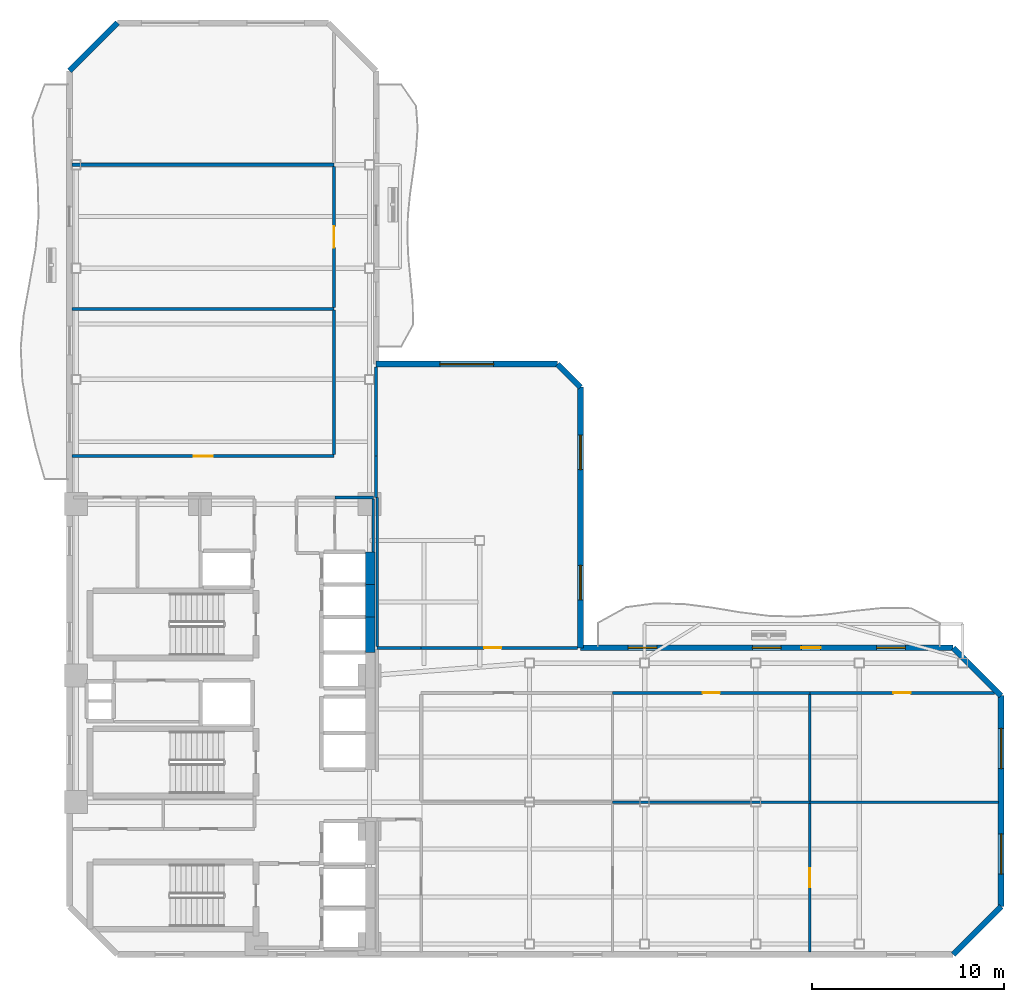
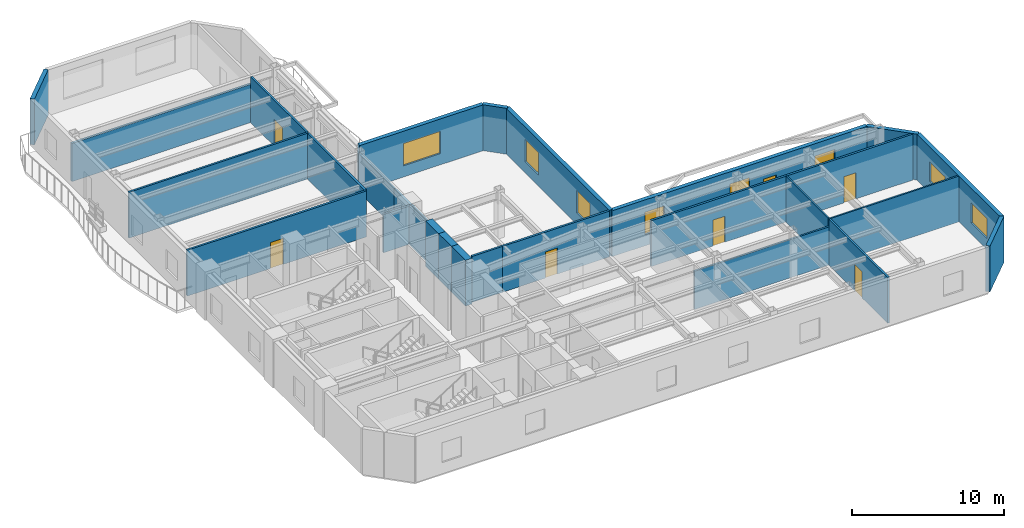
# One storey, part 5 of 9: 29 walls, 8 windows, 7 doors, 15 openings.
"""IFC4 building model written with IfcOpenShell, lengths in metres."""

from ifc_helpers import new_model, si_unit, direction, frame, frame_2d, origin, place, context, subcontext, project, spatial, rectangle, extrude, material, layer, layer_set, type_object, element, fill, save


model = new_model("IFC4")

# Units and contexts
model_context = context("Model", 3, precision=1e-05, world=origin(), true_north=direction((0.0, 1.0)))
body_context = subcontext(model_context, "Body", "Model", "MODEL_VIEW")
ifc_project = project(units=[si_unit("LENGTHUNIT", "METRE"), si_unit("AREAUNIT", "SQUARE_METRE"), si_unit("VOLUMEUNIT", "CUBIC_METRE"), si_unit("PLANEANGLEUNIT", "RADIAN"), si_unit("MASSUNIT", "GRAM", prefix="KILO")], contexts=[model_context])

# Site, building, storey
site_placement = place(None, origin())
site = spatial("IfcSite", under=ifc_project, at=site_placement, CompositionType="ELEMENT")
building_placement = place(site_placement, origin())
building = spatial("IfcBuilding", under=site, at=building_placement, Name="Mawjaban Terraces University", CompositionType="ELEMENT")
storey_placement = place(building_placement, frame((0.0, 0.0, 107.300048828125)))
storey = spatial("IfcBuildingStorey", under=building, at=storey_placement, Name="L25", CompositionType="ELEMENT", Elevation=107.300048828125)

# Walls
ifc_material_1 = material(Name="Acoustic masonry blockwork", Category="masonry")
ifc_layer_1 = layer(ifc_material_1, 0.179931640625)
ifc_layer_set_1 = layer_set([ifc_layer_1], Name="Acoustic masonry blockwork")
wall_type_1 = type_object("IfcWallType", Name="AcousticStudioWall_180", PredefinedType="PARTITIONING", material=ifc_layer_set_1)
wall_1_placement = place(storey_placement, frame((35.800048828125, 41.199951171875, 0.0), z_axis=(0.0, 0.0, 1.0), x_axis=(-1.0, 0.0, 0.0)))
element("IfcWall", 1, at=wall_1_placement, inside=storey, type_object=wall_type_1, Name="L25 Computational Laboratory 9 Partition 13", PredefinedType="PARTITIONING", context=body_context, shape_type="SweptSolid", body=[
    extrude(rectangle(XDim=13.655029296875, YDim=0.179931640625, at=frame_2d((6.82763671875, 0.0))), origin(), (0.0, 0.0, 1.0), 3.072998046875),
])
ifc_material_2 = material(Name="Concrete C60/75", Category="concrete")
ifc_layer_2 = layer(ifc_material_2, 0.5)
ifc_layer_set_2 = layer_set([ifc_layer_2], Name="Concrete C60/75")
wall_type_2 = type_object("IfcWallType", Name="CoreShearWall_500", PredefinedType="SHEAR", material=ifc_layer_set_2)
wall_2_placement = place(storey_placement, frame((37.699951171875, 15.75, 0.0), z_axis=(0.0, 0.0, 1.0), x_axis=(0.0, 1.0, 0.0)))
element("IfcWall", 2, at=wall_2_placement, inside=storey, type_object=wall_type_2, Name="L25 Lift OL-2 Hoistway Wall East", PredefinedType="SHEAR", context=body_context, shape_type="SweptSolid", body=[
    extrude(rectangle(XDim=1.85009765625, YDim=0.5, at=frame_2d((0.925048828125, 0.0))), origin(), (0.0, 0.0, 1.0), 3.68994140625),
])
for number, where, z_axis, x_axis, name in (
    (3, (37.699951171875, 17.60009765625, 0.0), (0.0, 0.0, 1.0), (0.0, 1.0, 0.0), "L25 Lift PL-M1 Hoistway Wall East"),
    (4, (37.699951171875, 19.300048828125, 0.0), (0.0, 0.0, 1.0), (0.0, 1.0, 0.0), "L25 Lift PL-M2 Hoistway Wall East"),
):
    element("IfcWall", number, at=place(storey_placement, frame(where, z_axis=z_axis, x_axis=x_axis)), inside=storey, type_object=wall_type_2, Name=name, PredefinedType="SHEAR", context=body_context, shape_type="SweptSolid", body=[
        extrude(rectangle(XDim=1.699951171875, YDim=0.5, at=frame_2d((0.85009765625, 0.0))), origin(), (0.0, 0.0, 1.0), 3.68994140625),
    ])

# Wall, opening, door
ifc_material_3 = material(Name="Fire-rated gypsum board on steel stud", Category="steel")
ifc_layer_3 = layer(ifc_material_3, 0.159912109375)
ifc_layer_set_3 = layer_set([ifc_layer_3], Name="Fire-rated gypsum board on steel stud")
wall_type_3 = type_object("IfcWallType", Name="CorridorPartition_160", PredefinedType="PARTITIONING", material=ifc_layer_set_3)
wall_3_placement = place(storey_placement, frame((35.800048828125, 26.0, 0.0), z_axis=(0.0, 0.0, 1.0), x_axis=(-1.0, 0.0, 0.0)))
wall_3 = element("IfcWall", 5, at=wall_3_placement, inside=storey, type_object=wall_type_3, Name="L25 North Core Cross-Corridor Partition 11", PredefinedType="PARTITIONING", context=body_context, shape_type="SweptSolid", body=[
    extrude(rectangle(XDim=13.655029296875, YDim=0.159912109375, at=frame_2d((6.82763671875, 0.0))), origin(), (0.0, 0.0, 1.0), 3.68994140625),
])
opening_1_placement = place(wall_3_placement, frame((6.326904296875, 0.0, 0.0)))
opening_1 = element("IfcOpeningElement", 6, at=opening_1_placement, cuts=wall_3, Name="Opening ID-100", PredefinedType="OPENING", context=body_context, shape_type="SweptSolid", body=[
    extrude(rectangle(XDim=1.0, YDim=2.10009765625, at=frame_2d((0.5, 1.050048828125))), frame((0.0, 0.08984375, 0.0), z_axis=(0.0, -1.0, 0.0), x_axis=(1.0, 0.0, 0.0)), (0.0, 0.0, 1.0), 0.179931640625),
])
ifc_material_4 = material(Name="Powder-coated steel frame and solid acoustic timber leaf", Category="steel")
door_type_1 = type_object("IfcDoorType", Name="ClassroomDoor_1000x2100", OperationType="NOTDEFINED", PredefinedType="DOOR", material=ifc_material_4)
door_1_placement = place(opening_1_placement, origin())
door_1 = element("IfcDoor", 7, at=door_1_placement, inside=storey, type_object=door_type_1, Name="L25 Classroom 8 Door", OperationType="SINGLE_SWING_RIGHT", OverallHeight=2.10009765625, OverallWidth=1.0, PredefinedType="DOOR", context=body_context, shape_type="SweptSolid", body=[
    extrude(rectangle(XDim=1.0, YDim=2.10009765625, at=frame_2d((0.5, 1.050048828125))), frame((0.0, 0.02490234375, 0.0), z_axis=(0.0, -1.0, 0.0), x_axis=(1.0, 0.0, 0.0)), (0.0, 0.0, 1.0), 0.050048828125),
])
fill(opening_1, door_1)

# Walls
wall_4_placement = place(storey_placement, frame((37.85009765625, 23.85009765625, 0.0), z_axis=(0.0, 0.0, 1.0), x_axis=(-1.0, 0.0, 0.0)))
element("IfcWall", 8, at=wall_4_placement, inside=storey, type_object=wall_type_3, Name="L25 Faculty Archive Closet Partition 15", PredefinedType="PARTITIONING", context=body_context, shape_type="SweptSolid", body=[
    extrude(rectangle(XDim=2.0, YDim=0.159912109375, at=frame_2d((1.0, 0.0))), origin(), (0.0, 0.0, 1.0), 3.072998046875),
])
wall_5_placement = place(storey_placement, frame((40.35009765625, 16.0, 0.0), z_axis=(0.0, 0.0, 1.0), x_axis=(-1.0, 0.0, 0.0)))
element("IfcWall", 9, at=wall_5_placement, inside=storey, type_object=wall_type_3, Name="L25 Inner Gallery Link Corridor Partition 18", PredefinedType="PARTITIONING", context=body_context, shape_type="SweptSolid", body=[
    extrude(rectangle(XDim=2.300048828125, YDim=0.159912109375, at=frame_2d((1.14990234375, 0.0))), origin(), (0.0, 0.0, 1.0), 3.68994140625),
])

# Wall, opening, door
wall_6_placement = place(storey_placement, frame((40.35009765625, 16.0, 0.0), z_axis=(0.0, 0.0, 1.0), x_axis=(1.0, 0.0, 0.0)))
wall_6 = element("IfcWall", 10, at=wall_6_placement, inside=storey, type_object=wall_type_3, Name="L25 Terrace Collaborative Study Room Partition 19", PredefinedType="PARTITIONING", context=body_context, shape_type="SweptSolid", body=[
    extrude(rectangle(XDim=8.160888671875, YDim=0.159912109375, at=frame_2d((4.08056640625, 0.0))), origin(), (0.0, 0.0, 1.0), 3.68994140625),
])
opening_2_placement = place(wall_6_placement, frame((3.281005859375, 0.0, 0.0)))
opening_2 = element("IfcOpeningElement", 11, at=opening_2_placement, cuts=wall_6, Name="Opening ID-090", PredefinedType="OPENING", context=body_context, shape_type="SweptSolid", body=[
    extrude(rectangle(XDim=0.89990234375, YDim=2.10009765625, at=frame_2d((0.449951171875, 1.050048828125))), frame((0.0, 0.08984375, 0.0), z_axis=(0.0, -1.0, 0.0), x_axis=(1.0, 0.0, 0.0)), (0.0, 0.0, 1.0), 0.179931640625),
])
door_type_2 = type_object("IfcDoorType", Name="OfficeDoor_900x2100", OperationType="NOTDEFINED", PredefinedType="DOOR", material=ifc_material_4)
door_2_placement = place(opening_2_placement, origin())
door_2 = element("IfcDoor", 12, at=door_2_placement, inside=storey, type_object=door_type_2, Name="L25 Terrace Collaborative Study Room Door", OperationType="SINGLE_SWING_LEFT", OverallHeight=2.10009765625, OverallWidth=0.89990234375, PredefinedType="DOOR", context=body_context, shape_type="SweptSolid", body=[
    extrude(rectangle(XDim=0.89990234375, YDim=2.10009765625, at=frame_2d((0.449951171875, 1.050048828125))), frame((0.0, 0.02490234375, 0.0), z_axis=(0.0, -1.0, 0.0), x_axis=(1.0, 0.0, 0.0)), (0.0, 0.0, 1.0), 0.050048828125),
])
fill(opening_2, door_2)

wall_7_placement = place(storey_placement, frame((50.330078125, 13.64990234375, 0.0), z_axis=(0.0, 0.0, 1.0), x_axis=(1.0, 0.0, 0.0)))
wall_7 = element("IfcWall", 13, at=wall_7_placement, inside=storey, type_object=wall_type_3, Name="L25 Inner Terrace Gallery Corridor East Partition 21", PredefinedType="PARTITIONING", context=body_context, shape_type="SweptSolid", body=[
    extrude(rectangle(XDim=10.2900390625, YDim=0.159912109375, at=frame_2d((5.14501953125, 0.0))), origin(), (0.0, 0.0, 1.0), 3.68994140625),
])
opening_3_placement = place(wall_7_placement, frame((4.695068359375, 0.0, 0.0)))
opening_3 = element("IfcOpeningElement", 14, at=opening_3_placement, cuts=wall_7, Name="Opening ID-090", PredefinedType="OPENING", context=body_context, shape_type="SweptSolid", body=[
    extrude(rectangle(XDim=0.89990234375, YDim=2.10009765625, at=frame_2d((0.449951171875, 1.050048828125))), frame((0.0, 0.08984375, 0.0), z_axis=(0.0, -1.0, 0.0), x_axis=(1.0, 0.0, 0.0)), (0.0, 0.0, 1.0), 0.179931640625),
])
door_3_placement = place(opening_3_placement, origin())
door_3 = element("IfcDoor", 15, at=door_3_placement, inside=storey, type_object=door_type_2, Name="L25 Seminar Room 5 Door", OperationType="SINGLE_SWING_LEFT", OverallHeight=2.10009765625, OverallWidth=0.89990234375, PredefinedType="DOOR", context=body_context, shape_type="SweptSolid", body=[
    extrude(rectangle(XDim=0.89990234375, YDim=2.10009765625, at=frame_2d((0.449951171875, 1.050048828125))), frame((0.0, 0.02490234375, 0.0), z_axis=(0.0, -1.0, 0.0), x_axis=(1.0, 0.0, 0.0)), (0.0, 0.0, 1.0), 0.050048828125),
])
fill(opening_3, door_3)

wall_8_placement = place(storey_placement, frame((60.6201171875, 13.64990234375, 0.0), z_axis=(0.0, 0.0, 1.0), x_axis=(1.0, 0.0, 0.0)))
wall_8 = element("IfcWall", 16, at=wall_8_placement, inside=storey, type_object=wall_type_3, Name="L25 Inner Terrace Gallery Corridor East Partition 23", PredefinedType="PARTITIONING", context=body_context, shape_type="SweptSolid", body=[
    extrude(rectangle(XDim=9.625, YDim=0.159912109375, at=frame_2d((4.8125, 0.0))), origin(), (0.0, 0.0, 1.0), 3.68994140625),
])
opening_4_placement = place(wall_8_placement, frame((4.363037109375, 0.0, 0.0)))
opening_4 = element("IfcOpeningElement", 17, at=opening_4_placement, cuts=wall_8, Name="Opening ID-090", PredefinedType="OPENING", context=body_context, shape_type="SweptSolid", body=[
    extrude(rectangle(XDim=0.89990234375, YDim=2.10009765625, at=frame_2d((0.449951171875, 1.050048828125))), frame((0.0, 0.08984375, 0.0), z_axis=(0.0, -1.0, 0.0), x_axis=(1.0, 0.0, 0.0)), (0.0, 0.0, 1.0), 0.179931640625),
])
door_4_placement = place(opening_4_placement, origin())
door_4 = element("IfcDoor", 18, at=door_4_placement, inside=storey, type_object=door_type_2, Name="L25 Faculty Office 7 Door", OperationType="SINGLE_SWING_LEFT", OverallHeight=2.10009765625, OverallWidth=0.89990234375, PredefinedType="DOOR", context=body_context, shape_type="SweptSolid", body=[
    extrude(rectangle(XDim=0.89990234375, YDim=2.10009765625, at=frame_2d((0.449951171875, 1.050048828125))), frame((0.0, 0.02490234375, 0.0), z_axis=(0.0, -1.0, 0.0), x_axis=(1.0, 0.0, 0.0)), (0.0, 0.0, 1.0), 0.050048828125),
])
fill(opening_4, door_4)

# Walls
wall_9_placement = place(storey_placement, frame((35.800048828125, 33.612060546875, 0.0), z_axis=(0.0, 0.0, 1.0), x_axis=(0.0, -1.0, 0.0)))
element("IfcWall", 19, at=wall_9_placement, inside=storey, type_object=wall_type_3, Name="L25 Inner Terrace Gallery Corridor North Partition 32", PredefinedType="PARTITIONING", context=body_context, shape_type="SweptSolid", body=[
    extrude(rectangle(XDim=7.537109375, YDim=0.159912109375, at=frame_2d((3.7685546875, 0.0))), origin(), (0.0, 0.0, 1.0), 3.68994140625),
])
wall_10_placement = place(storey_placement, frame((38.0, 23.85009765625, 0.0), z_axis=(0.0, 0.0, 1.0), x_axis=(0.0, 1.0, 0.0)))
element("IfcWall", 20, at=wall_10_placement, inside=storey, type_object=wall_type_3, Name="L25 North Core Cross-Corridor Partition 37", PredefinedType="PARTITIONING", context=body_context, shape_type="SweptSolid", body=[
    extrude(rectangle(XDim=2.14990234375, YDim=0.159912109375, at=frame_2d((1.074951171875, 0.0))), origin(), (0.0, 0.0, 1.0), 3.072998046875),
])
wall_11_placement = place(storey_placement, frame((38.0, 26.0, 0.0), z_axis=(0.0, 0.0, 1.0), x_axis=(0.0, 1.0, 0.0)))
element("IfcWall", 21, at=wall_11_placement, inside=storey, type_object=wall_type_3, Name="L25 Inner Terrace Gallery Corridor North Partition 38", PredefinedType="PARTITIONING", context=body_context, shape_type="SweptSolid", body=[
    extrude(rectangle(XDim=4.655029296875, YDim=0.159912109375, at=frame_2d((2.32763671875, 0.0))), origin(), (0.0, 0.0, 1.0), 3.072998046875),
])
ifc_material_5 = material(Name="Insulated terracotta rainscreen on concrete backup C40/50", Category="masonry")
ifc_layer_4 = layer(ifc_material_5, 0.300048828125)
ifc_layer_set_4 = layer_set([ifc_layer_4], Name="Insulated terracotta rainscreen on concrete backup C40/50")
wall_type_4 = type_object("IfcWallType", Name="ExtTerracottaWall_300", PredefinedType="SOLIDWALL", material=ifc_layer_set_4)
wall_12_placement = place(storey_placement, frame((68.10009765625, 0.0, 0.0), z_axis=(0.0, 0.0, 1.0), x_axis=(0.707106781187, 0.707106781187, 0.0)))
element("IfcWall", 22, at=wall_12_placement, inside=storey, type_object=wall_type_4, Name="L25 Exterior Terracotta Wall 2", PredefinedType="SOLIDWALL", context=body_context, shape_type="SweptSolid", body=[
    extrude(rectangle(XDim=3.53564453125, YDim=0.300048828125, at=frame_2d((1.767822265625, 0.0))), origin(), (0.0, 0.0, 1.0), 3.68994140625),
])

# Wall, openings, windows
wall_13_placement = place(storey_placement, frame((70.60009765625, 2.5, 0.0), z_axis=(0.0, 0.0, 1.0), x_axis=(0.0, 1.0, 0.0)))
wall_13 = element("IfcWall", 23, at=wall_13_placement, inside=storey, type_object=wall_type_4, Name="L25 Exterior Terracotta Wall 3", PredefinedType="SOLIDWALL", context=body_context, shape_type="SweptSolid", body=[
    extrude(rectangle(XDim=11.0, YDim=0.300048828125, at=frame_2d((5.5, 0.0))), origin(), (0.0, 0.0, 1.0), 3.68994140625),
])
opening_5_placement = place(wall_13_placement, frame((1.699951171875, 0.0, 0.89990234375)))
opening_5 = element("IfcOpeningElement", 24, at=opening_5_placement, cuts=wall_13, Name="Opening W-04", PredefinedType="OPENING", context=body_context, shape_type="SweptSolid", body=[
    extrude(rectangle(XDim=2.10009765625, YDim=1.60009765625, at=frame_2d((1.050048828125, 0.800048828125))), frame((0.0, 0.159912109375, 0.0), z_axis=(0.0, -1.0, 0.0), x_axis=(1.0, 0.0, 0.0)), (0.0, 0.0, 1.0), 0.320068359375),
])
opening_6_placement = place(wall_13_placement, frame((7.199951171875, 0.0, 0.89990234375)))
opening_6 = element("IfcOpeningElement", 25, at=opening_6_placement, cuts=wall_13, Name="Opening W-04", PredefinedType="OPENING", context=body_context, shape_type="SweptSolid", body=[
    extrude(rectangle(XDim=2.10009765625, YDim=1.60009765625, at=frame_2d((1.050048828125, 0.800048828125))), frame((0.0, 0.159912109375, 0.0), z_axis=(0.0, -1.0, 0.0), x_axis=(1.0, 0.0, 0.0)), (0.0, 0.0, 1.0), 0.320068359375),
])
ifc_material_6 = material(Name="Low-E solar-control double glazing in thermally broken aluminium frame", Category="aluminium")
window_type_1 = type_object("IfcWindowType", Name="Win_2100x1600", PartitioningType="SINGLE_PANEL", PredefinedType="WINDOW", material=ifc_material_6)
window_1_placement = place(opening_5_placement, origin())
window_1 = element("IfcWindow", 26, at=window_1_placement, inside=storey, type_object=window_type_1, Name="L25 Facade Window 3.1", OverallHeight=1.60009765625, OverallWidth=2.10009765625, PartitioningType="SINGLE_PANEL", PredefinedType="WINDOW", context=body_context, shape_type="SweptSolid", body=[
    extrude(rectangle(XDim=2.10009765625, YDim=1.60009765625, at=frame_2d((1.050048828125, 0.800048828125))), frame((0.0, 0.030029296875, 0.0), z_axis=(0.0, -1.0, 0.0), x_axis=(1.0, 0.0, 0.0)), (0.0, 0.0, 1.0), 0.06005859375),
])
fill(opening_5, window_1)
window_2_placement = place(opening_6_placement, origin())
window_2 = element("IfcWindow", 27, at=window_2_placement, inside=storey, type_object=window_type_1, Name="L25 Facade Window 3.2", OverallHeight=1.60009765625, OverallWidth=2.10009765625, PartitioningType="SINGLE_PANEL", PredefinedType="WINDOW", context=body_context, shape_type="SweptSolid", body=[
    extrude(rectangle(XDim=2.10009765625, YDim=1.60009765625, at=frame_2d((1.050048828125, 0.800048828125))), frame((0.0, 0.030029296875, 0.0), z_axis=(0.0, -1.0, 0.0), x_axis=(1.0, 0.0, 0.0)), (0.0, 0.0, 1.0), 0.06005859375),
])
fill(opening_6, window_2)

# Wall
wall_14_placement = place(storey_placement, frame((70.60009765625, 13.5, 0.0), z_axis=(0.0, 0.0, 1.0), x_axis=(-0.707106781187, 0.707106781187, 0.0)))
element("IfcWall", 28, at=wall_14_placement, inside=storey, type_object=wall_type_4, Name="L25 Exterior Terracotta Wall 4", PredefinedType="SOLIDWALL", context=body_context, shape_type="SweptSolid", body=[
    extrude(rectangle(XDim=3.53564453125, YDim=0.300048828125, at=frame_2d((1.767822265625, 0.0))), origin(), (0.0, 0.0, 1.0), 3.68994140625),
])

# Wall, openings, door, windows
wall_15_placement = place(storey_placement, frame((68.10009765625, 16.0, 0.0), z_axis=(0.0, 0.0, 1.0), x_axis=(-1.0, 0.0, 0.0)))
wall_15 = element("IfcWall", 29, at=wall_15_placement, inside=storey, type_object=wall_type_4, Name="L25 Exterior Terracotta Wall 5", PredefinedType="SOLIDWALL", context=body_context, shape_type="SweptSolid", body=[
    extrude(rectangle(XDim=19.444091796875, YDim=0.300048828125, at=frame_2d((9.72216796875, 0.0))), origin(), (0.0, 0.0, 1.0), 3.68994140625),
])
opening_7_placement = place(wall_15_placement, frame((6.922119140625, 0.0, 0.0)))
opening_7 = element("IfcOpeningElement", 30, at=opening_7_placement, cuts=wall_15, Name="Opening BD-100", PredefinedType="OPENING", context=body_context, shape_type="SweptSolid", body=[
    extrude(rectangle(XDim=1.0, YDim=2.199951171875, at=frame_2d((0.5, 1.10009765625))), frame((0.0, 0.159912109375, 0.0), z_axis=(0.0, -1.0, 0.0), x_axis=(1.0, 0.0, 0.0)), (0.0, 0.0, 1.0), 0.320068359375),
])
opening_8_placement = place(wall_15_placement, frame((2.490966796875, 0.0, 0.89990234375)))
opening_8 = element("IfcOpeningElement", 31, at=opening_8_placement, cuts=wall_15, Name="Opening W-06", PredefinedType="OPENING", context=body_context, shape_type="SweptSolid", body=[
    extrude(rectangle(XDim=1.5, YDim=1.800048828125, at=frame_2d((0.75, 0.89990234375))), frame((0.0, 0.159912109375, 0.0), z_axis=(0.0, -1.0, 0.0), x_axis=(1.0, 0.0, 0.0)), (0.0, 0.0, 1.0), 0.320068359375),
])
opening_9_placement = place(wall_15_placement, frame((8.971923828125, 0.0, 0.89990234375)))
opening_9 = element("IfcOpeningElement", 32, at=opening_9_placement, cuts=wall_15, Name="Opening W-06", PredefinedType="OPENING", context=body_context, shape_type="SweptSolid", body=[
    extrude(rectangle(XDim=1.5, YDim=1.800048828125, at=frame_2d((0.75, 0.89990234375))), frame((0.0, 0.159912109375, 0.0), z_axis=(0.0, -1.0, 0.0), x_axis=(1.0, 0.0, 0.0)), (0.0, 0.0, 1.0), 0.320068359375),
])
opening_10_placement = place(wall_15_placement, frame((15.452880859375, 0.0, 0.89990234375)))
opening_10 = element("IfcOpeningElement", 33, at=opening_10_placement, cuts=wall_15, Name="Opening W-06", PredefinedType="OPENING", context=body_context, shape_type="SweptSolid", body=[
    extrude(rectangle(XDim=1.5, YDim=1.800048828125, at=frame_2d((0.75, 0.89990234375))), frame((0.0, 0.159912109375, 0.0), z_axis=(0.0, -1.0, 0.0), x_axis=(1.0, 0.0, 0.0)), (0.0, 0.0, 1.0), 0.320068359375),
])
ifc_material_7 = material(Name="Thermally broken anodised aluminium and laminated safety glass", Category="aluminium")
door_type_3 = type_object("IfcDoorType", Name="BalconyGlazedDoor_1000x2200", OperationType="NOTDEFINED", PredefinedType="DOOR", material=ifc_material_7)
door_5_placement = place(opening_7_placement, origin())
door_5 = element("IfcDoor", 34, at=door_5_placement, inside=storey, type_object=door_type_3, Name="L25 Balcony Access Door inner_north", OperationType="SINGLE_SWING_RIGHT", OverallHeight=2.199951171875, OverallWidth=1.0, PredefinedType="DOOR", context=body_context, shape_type="SweptSolid", body=[
    extrude(rectangle(XDim=1.0, YDim=2.199951171875, at=frame_2d((0.5, 1.10009765625))), frame((0.0, 0.02490234375, 0.0), z_axis=(0.0, -1.0, 0.0), x_axis=(1.0, 0.0, 0.0)), (0.0, 0.0, 1.0), 0.050048828125),
])
fill(opening_7, door_5)
window_type_2 = type_object("IfcWindowType", Name="Win_1500x1800", PartitioningType="SINGLE_PANEL", PredefinedType="WINDOW", material=ifc_material_6)
window_3_placement = place(opening_8_placement, origin())
window_3 = element("IfcWindow", 35, at=window_3_placement, inside=storey, type_object=window_type_2, Name="L25 Facade Window 5.1", OverallHeight=1.800048828125, OverallWidth=1.5, PartitioningType="SINGLE_PANEL", PredefinedType="WINDOW", context=body_context, shape_type="SweptSolid", body=[
    extrude(rectangle(XDim=1.5, YDim=1.800048828125, at=frame_2d((0.75, 0.89990234375))), frame((0.0, 0.030029296875, 0.0), z_axis=(0.0, -1.0, 0.0), x_axis=(1.0, 0.0, 0.0)), (0.0, 0.0, 1.0), 0.06005859375),
])
fill(opening_8, window_3)
window_4_placement = place(opening_9_placement, origin())
window_4 = element("IfcWindow", 36, at=window_4_placement, inside=storey, type_object=window_type_2, Name="L25 Facade Window 5.2", OverallHeight=1.800048828125, OverallWidth=1.5, PartitioningType="SINGLE_PANEL", PredefinedType="WINDOW", context=body_context, shape_type="SweptSolid", body=[
    extrude(rectangle(XDim=1.5, YDim=1.800048828125, at=frame_2d((0.75, 0.89990234375))), frame((0.0, 0.030029296875, 0.0), z_axis=(0.0, -1.0, 0.0), x_axis=(1.0, 0.0, 0.0)), (0.0, 0.0, 1.0), 0.06005859375),
])
fill(opening_9, window_4)
window_5_placement = place(opening_10_placement, origin())
window_5 = element("IfcWindow", 37, at=window_5_placement, inside=storey, type_object=window_type_2, Name="L25 Facade Window 5.3", OverallHeight=1.800048828125, OverallWidth=1.5, PartitioningType="SINGLE_PANEL", PredefinedType="WINDOW", context=body_context, shape_type="SweptSolid", body=[
    extrude(rectangle(XDim=1.5, YDim=1.800048828125, at=frame_2d((0.75, 0.89990234375))), frame((0.0, 0.030029296875, 0.0), z_axis=(0.0, -1.0, 0.0), x_axis=(1.0, 0.0, 0.0)), (0.0, 0.0, 1.0), 0.06005859375),
])
fill(opening_10, window_5)

# Wall, openings, windows
wall_16_placement = place(storey_placement, frame((48.656005859375, 16.0, 0.0), z_axis=(0.0, 0.0, 1.0), x_axis=(0.0, 1.0, 0.0)))
wall_16 = element("IfcWall", 38, at=wall_16_placement, inside=storey, type_object=wall_type_4, Name="L25 Exterior Terracotta Wall 6", PredefinedType="SOLIDWALL", context=body_context, shape_type="SweptSolid", body=[
    extrude(rectangle(XDim=13.60009765625, YDim=0.300048828125, at=frame_2d((6.800048828125, 0.0))), origin(), (0.0, 0.0, 1.0), 3.68994140625),
])
opening_11_placement = place(wall_16_placement, frame((2.5, 0.0, 0.89990234375)))
opening_11 = element("IfcOpeningElement", 39, at=opening_11_placement, cuts=wall_16, Name="Opening W-07", PredefinedType="OPENING", context=body_context, shape_type="SweptSolid", body=[
    extrude(rectangle(XDim=1.800048828125, YDim=1.800048828125, at=frame_2d((0.89990234375, 0.89990234375))), frame((0.0, 0.159912109375, 0.0), z_axis=(0.0, -1.0, 0.0), x_axis=(1.0, 0.0, 0.0)), (0.0, 0.0, 1.0), 0.320068359375),
])
opening_12_placement = place(wall_16_placement, frame((9.300048828125, 0.0, 0.89990234375)))
opening_12 = element("IfcOpeningElement", 40, at=opening_12_placement, cuts=wall_16, Name="Opening W-07", PredefinedType="OPENING", context=body_context, shape_type="SweptSolid", body=[
    extrude(rectangle(XDim=1.800048828125, YDim=1.800048828125, at=frame_2d((0.89990234375, 0.89990234375))), frame((0.0, 0.159912109375, 0.0), z_axis=(0.0, -1.0, 0.0), x_axis=(1.0, 0.0, 0.0)), (0.0, 0.0, 1.0), 0.320068359375),
])
window_type_3 = type_object("IfcWindowType", Name="Win_1800x1800", PartitioningType="SINGLE_PANEL", PredefinedType="WINDOW", material=ifc_material_6)
window_6_placement = place(opening_11_placement, origin())
window_6 = element("IfcWindow", 41, at=window_6_placement, inside=storey, type_object=window_type_3, Name="L25 Facade Window 6.1", OverallHeight=1.800048828125, OverallWidth=1.800048828125, PartitioningType="SINGLE_PANEL", PredefinedType="WINDOW", context=body_context, shape_type="SweptSolid", body=[
    extrude(rectangle(XDim=1.800048828125, YDim=1.800048828125, at=frame_2d((0.89990234375, 0.89990234375))), frame((0.0, 0.030029296875, 0.0), z_axis=(0.0, -1.0, 0.0), x_axis=(1.0, 0.0, 0.0)), (0.0, 0.0, 1.0), 0.06005859375),
])
fill(opening_11, window_6)
window_7_placement = place(opening_12_placement, origin())
window_7 = element("IfcWindow", 42, at=window_7_placement, inside=storey, type_object=window_type_3, Name="L25 Facade Window 6.2", OverallHeight=1.800048828125, OverallWidth=1.800048828125, PartitioningType="SINGLE_PANEL", PredefinedType="WINDOW", context=body_context, shape_type="SweptSolid", body=[
    extrude(rectangle(XDim=1.800048828125, YDim=1.800048828125, at=frame_2d((0.89990234375, 0.89990234375))), frame((0.0, 0.030029296875, 0.0), z_axis=(0.0, -1.0, 0.0), x_axis=(1.0, 0.0, 0.0)), (0.0, 0.0, 1.0), 0.06005859375),
])
fill(opening_12, window_7)

# Wall
wall_17_placement = place(storey_placement, frame((48.656005859375, 29.60009765625, 0.0), z_axis=(0.0, 0.0, 1.0), x_axis=(-0.707106781187, 0.707106781187, 0.0)))
element("IfcWall", 43, at=wall_17_placement, inside=storey, type_object=wall_type_4, Name="L25 Exterior Terracotta Wall 7", PredefinedType="SOLIDWALL", context=body_context, shape_type="SweptSolid", body=[
    extrude(rectangle(XDim=1.697021484375, YDim=0.300048828125, at=frame_2d((0.8486328125, 0.0))), origin(), (0.0, 0.0, 1.0), 3.68994140625),
])

# Wall, opening, window
wall_18_placement = place(storey_placement, frame((47.4560546875, 30.800048828125, 0.0), z_axis=(0.0, 0.0, 1.0), x_axis=(-1.0, 0.0, 0.0)))
wall_18 = element("IfcWall", 44, at=wall_18_placement, inside=storey, type_object=wall_type_4, Name="L25 Exterior Terracotta Wall 8", PredefinedType="SOLIDWALL", context=body_context, shape_type="SweptSolid", body=[
    extrude(rectangle(XDim=9.4560546875, YDim=0.300048828125, at=frame_2d((4.72802734375, 0.0))), origin(), (0.0, 0.0, 1.0), 3.68994140625),
])
opening_13_placement = place(wall_18_placement, frame((3.327880859375, 0.0, 0.89990234375)))
opening_13 = element("IfcOpeningElement", 45, at=opening_13_placement, cuts=wall_18, Name="Opening W-09", PredefinedType="OPENING", context=body_context, shape_type="SweptSolid", body=[
    extrude(rectangle(XDim=2.800048828125, YDim=1.800048828125, at=frame_2d((1.39990234375, 0.89990234375))), frame((0.0, 0.159912109375, 0.0), z_axis=(0.0, -1.0, 0.0), x_axis=(1.0, 0.0, 0.0)), (0.0, 0.0, 1.0), 0.320068359375),
])
window_type_4 = type_object("IfcWindowType", Name="Win_2800x1800", PartitioningType="SINGLE_PANEL", PredefinedType="WINDOW", material=ifc_material_6)
window_8_placement = place(opening_13_placement, origin())
window_8 = element("IfcWindow", 46, at=window_8_placement, inside=storey, type_object=window_type_4, Name="L25 Facade Window 8.1", OverallHeight=1.800048828125, OverallWidth=2.800048828125, PartitioningType="SINGLE_PANEL", PredefinedType="WINDOW", context=body_context, shape_type="SweptSolid", body=[
    extrude(rectangle(XDim=2.800048828125, YDim=1.800048828125, at=frame_2d((1.39990234375, 0.89990234375))), frame((0.0, 0.030029296875, 0.0), z_axis=(0.0, -1.0, 0.0), x_axis=(1.0, 0.0, 0.0)), (0.0, 0.0, 1.0), 0.06005859375),
])
fill(opening_13, window_8)

# Walls
wall_19_placement = place(storey_placement, frame((24.5, 48.60009765625, 0.0), z_axis=(0.0, 0.0, 1.0), x_axis=(-0.707106781187, -0.707106781187, 0.0)))
element("IfcWall", 47, at=wall_19_placement, inside=storey, type_object=wall_type_4, Name="L25 Exterior Terracotta Wall 12", PredefinedType="SOLIDWALL", context=body_context, shape_type="SweptSolid", body=[
    extrude(rectangle(XDim=3.53564453125, YDim=0.300048828125, at=frame_2d((1.767822265625, 0.0))), origin(), (0.0, 0.0, 1.0), 3.68994140625),
])
ifc_material_8 = material(Name="Moisture-resistant gypsum board on steel stud", Category="steel")
ifc_layer_5 = layer(ifc_material_8, 0.14501953125)
ifc_layer_set_5 = layer_set([ifc_layer_5], Name="Moisture-resistant gypsum board on steel stud")
wall_type_5 = type_object("IfcWallType", Name="LabPartition_145", PredefinedType="PARTITIONING", material=ifc_layer_set_5)
wall_20_placement = place(storey_placement, frame((35.800048828125, 33.679931640625, 0.0), z_axis=(0.0, 0.0, 1.0), x_axis=(-1.0, 0.0, 0.0)))
element("IfcWall", 48, at=wall_20_placement, inside=storey, type_object=wall_type_5, Name="L25 Classroom 8 Partition 12", PredefinedType="PARTITIONING", context=body_context, shape_type="SweptSolid", body=[
    extrude(rectangle(XDim=13.655029296875, YDim=0.14501953125, at=frame_2d((6.82763671875, 0.0))), origin(), (0.0, 0.0, 1.0), 3.68994140625),
])
wall_21_placement = place(storey_placement, frame((60.6201171875, 7.949951171875, 0.0), z_axis=(0.0, 0.0, 1.0), x_axis=(-1.0, 0.0, 0.0)))
element("IfcWall", 49, at=wall_21_placement, inside=storey, type_object=wall_type_5, Name="L25 Teaching Laboratory 4 Partition 22", PredefinedType="PARTITIONING", context=body_context, shape_type="SweptSolid", body=[
    extrude(rectangle(XDim=10.2900390625, YDim=0.14501953125, at=frame_2d((5.14501953125, 0.0))), origin(), (0.0, 0.0, 1.0), 3.072998046875),
])

# Wall, opening, door
wall_22_placement = place(storey_placement, frame((35.800048828125, 41.114990234375, 0.0), z_axis=(0.0, 0.0, 1.0), x_axis=(0.0, -1.0, 0.0)))
wall_22 = element("IfcWall", 50, at=wall_22_placement, inside=storey, type_object=wall_type_5, Name="L25 Inner Terrace Gallery Corridor North Partition 33", PredefinedType="PARTITIONING", context=body_context, shape_type="SweptSolid", body=[
    extrude(rectangle(XDim=7.366943359375, YDim=0.14501953125, at=frame_2d((3.68359375, 0.0))), origin(), (0.0, 0.0, 1.0), 3.68994140625),
])
opening_14_placement = place(wall_22_placement, frame((3.134033203125, 0.0, 0.0)))
opening_14 = element("IfcOpeningElement", 51, at=opening_14_placement, cuts=wall_22, Name="Opening ID-110", PredefinedType="OPENING", context=body_context, shape_type="SweptSolid", body=[
    extrude(rectangle(XDim=1.10009765625, YDim=2.14990234375, at=frame_2d((0.550048828125, 1.074951171875))), frame((0.0, 0.08251953125, 0.0), z_axis=(0.0, -1.0, 0.0), x_axis=(1.0, 0.0, 0.0)), (0.0, 0.0, 1.0), 0.1650390625),
])
door_type_4 = type_object("IfcDoorType", Name="LabDoor_1100x2150", OperationType="NOTDEFINED", PredefinedType="DOOR", material=ifc_material_4)
door_6_placement = place(opening_14_placement, origin())
door_6 = element("IfcDoor", 52, at=door_6_placement, inside=storey, type_object=door_type_4, Name="L25 Computational Laboratory 9 Door", OperationType="SINGLE_SWING_LEFT", OverallHeight=2.14990234375, OverallWidth=1.10009765625, PredefinedType="DOOR", context=body_context, shape_type="SweptSolid", body=[
    extrude(rectangle(XDim=1.10009765625, YDim=2.14990234375, at=frame_2d((0.550048828125, 1.074951171875))), frame((0.0, 0.02490234375, 0.0), z_axis=(0.0, -1.0, 0.0), x_axis=(1.0, 0.0, 0.0)), (0.0, 0.0, 1.0), 0.050048828125),
])
fill(opening_14, door_6)

wall_23_placement = place(storey_placement, frame((60.6201171875, 0.14501953125, 0.0), z_axis=(0.0, 0.0, 1.0), x_axis=(0.0, 1.0, 0.0)))
wall_23 = element("IfcWall", 53, at=wall_23_placement, inside=storey, type_object=wall_type_5, Name="L25 Teaching Laboratory 4 Partition 46", PredefinedType="PARTITIONING", context=body_context, shape_type="SweptSolid", body=[
    extrude(rectangle(XDim=7.738037109375, YDim=0.14501953125, at=frame_2d((3.869140625, 0.0))), origin(), (0.0, 0.0, 1.0), 3.68994140625),
])
opening_15_placement = place(wall_23_placement, frame((3.368896484375, 0.0, 0.0)))
opening_15 = element("IfcOpeningElement", 54, at=opening_15_placement, cuts=wall_23, Name="Opening ID-100", PredefinedType="OPENING", context=body_context, shape_type="SweptSolid", body=[
    extrude(rectangle(XDim=1.0, YDim=2.10009765625, at=frame_2d((0.5, 1.050048828125))), frame((0.0, 0.08251953125, 0.0), z_axis=(0.0, -1.0, 0.0), x_axis=(1.0, 0.0, 0.0)), (0.0, 0.0, 1.0), 0.1650390625),
])
door_7_placement = place(opening_15_placement, origin())
door_7 = element("IfcDoor", 55, at=door_7_placement, inside=storey, type_object=door_type_1, Name="L25 Classroom 6 Door", OperationType="SINGLE_SWING_RIGHT", OverallHeight=2.10009765625, OverallWidth=1.0, PredefinedType="DOOR", context=body_context, shape_type="SweptSolid", body=[
    extrude(rectangle(XDim=1.0, YDim=2.10009765625, at=frame_2d((0.5, 1.050048828125))), frame((0.0, 0.02490234375, 0.0), z_axis=(0.0, -1.0, 0.0), x_axis=(1.0, 0.0, 0.0)), (0.0, 0.0, 1.0), 0.050048828125),
])
fill(opening_15, door_7)

# Walls
ifc_material_9 = material(Name="Gypsum plasterboard on steel stud", Category="steel")
ifc_layer_6 = layer(ifc_material_9, 0.125)
ifc_layer_set_6 = layer_set([ifc_layer_6], Name="Gypsum plasterboard on steel stud")
wall_type_6 = type_object("IfcWallType", Name="OfficePartition_125", PredefinedType="PARTITIONING", material=ifc_layer_set_6)
wall_24_placement = place(storey_placement, frame((70.455078125, 7.949951171875, 0.0), z_axis=(0.0, 0.0, 1.0), x_axis=(-1.0, 0.0, 0.0)))
element("IfcWall", 56, at=wall_24_placement, inside=storey, type_object=wall_type_6, Name="L25 Classroom 6 Partition 24", PredefinedType="PARTITIONING", context=body_context, shape_type="SweptSolid", body=[
    extrude(rectangle(XDim=9.8349609375, YDim=0.125, at=frame_2d((4.91748046875, 0.0))), origin(), (0.0, 0.0, 1.0), 3.68994140625),
])
wall_25_placement = place(storey_placement, frame((37.85009765625, 21.0, 0.0), z_axis=(0.0, 0.0, 1.0), x_axis=(0.0, 1.0, 0.0)))
element("IfcWall", 57, at=wall_25_placement, inside=storey, type_object=wall_type_6, Name="L25 Faculty Archive Closet Partition 36", PredefinedType="PARTITIONING", context=body_context, shape_type="SweptSolid", body=[
    extrude(rectangle(XDim=2.77490234375, YDim=0.125, at=frame_2d((1.387451171875, 0.0))), origin(), (0.0, 0.0, 1.0), 3.072998046875),
])
wall_26_placement = place(storey_placement, frame((38.050048828125, 23.85009765625, 0.0), z_axis=(0.0, 0.0, 1.0), x_axis=(0.0, -1.0, 0.0)))
element("IfcWall", 58, at=wall_26_placement, inside=storey, type_object=wall_type_6, Name="L25 Terrace Collaborative Study Room Partition 41", PredefinedType="PARTITIONING", context=body_context, shape_type="SweptSolid", body=[
    extrude(rectangle(XDim=7.775146484375, YDim=0.125, at=frame_2d((3.8876953125, 0.0))), origin(), (0.0, 0.0, 1.0), 3.072998046875),
])
wall_27_placement = place(storey_placement, frame((60.6201171875, 8.01806640625, 0.0), z_axis=(0.0, 0.0, 1.0), x_axis=(0.0, 1.0, 0.0)))
element("IfcWall", 59, at=wall_27_placement, inside=storey, type_object=wall_type_6, Name="L25 Seminar Room 5 Partition 47", PredefinedType="PARTITIONING", context=body_context, shape_type="SweptSolid", body=[
    extrude(rectangle(XDim=5.556884765625, YDim=0.125, at=frame_2d((2.7783203125, 0.0))), origin(), (0.0, 0.0, 1.0), 3.68994140625),
])

save(model, "model.ifc")
